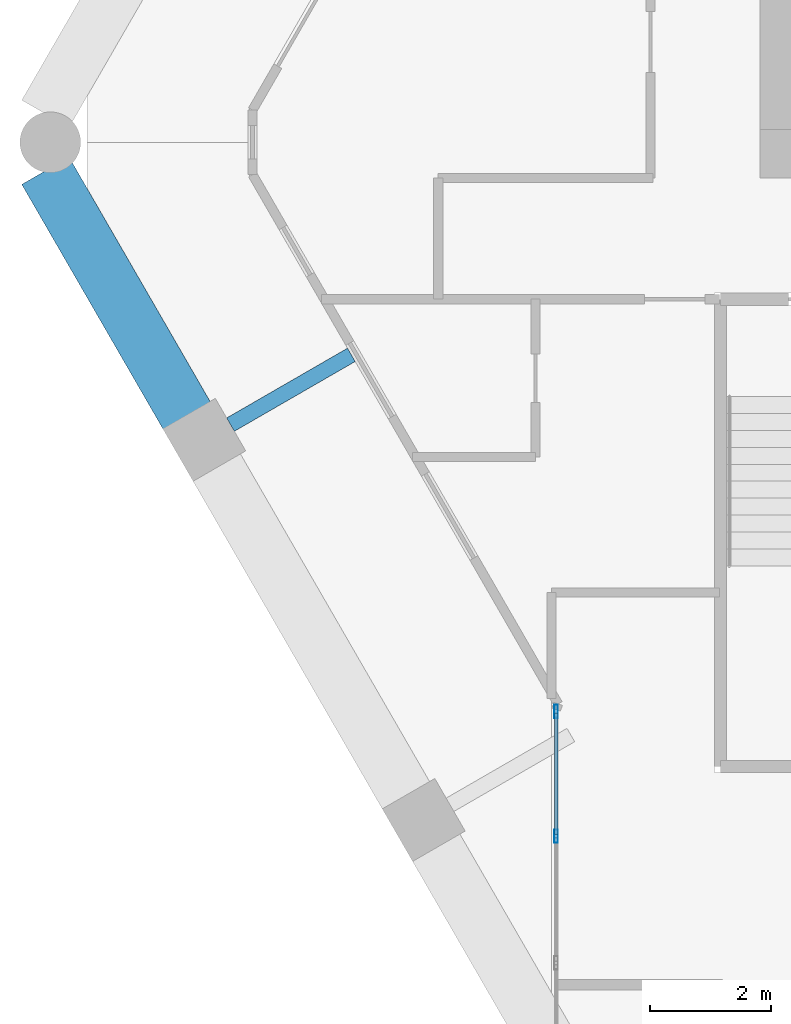
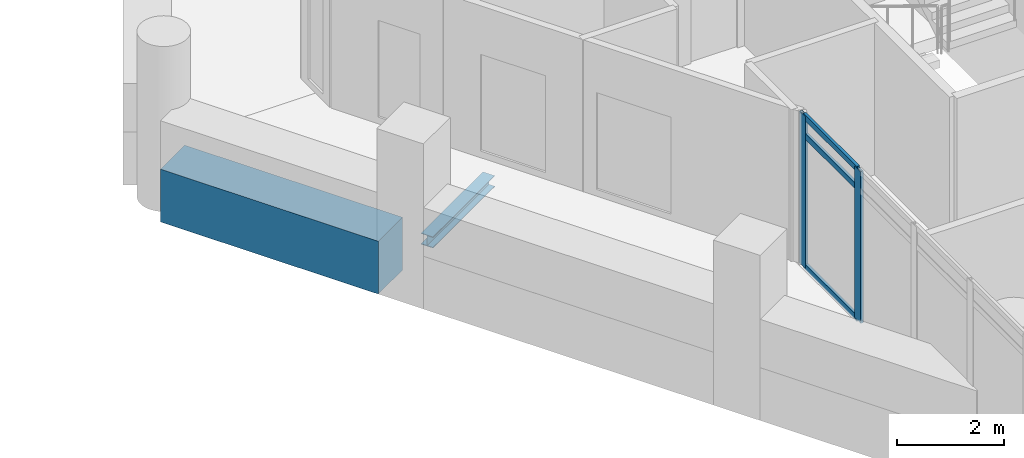
# One storey, part 9 of 29: 5 members, 2 beams, 1 element without a shape of its own.
"""IFC4 building model written with IfcOpenShell, lengths in metres."""

from ifc_helpers import new_model, si_unit, direction, frame, origin, origin_2d, place, context, subcontext, project, spatial, rectangle, hollow_rectangle, i_section, extrude, material, material_profile, profile_set, type_object, element, aggregate, save


model = new_model("IFC4")

# Units and contexts
model_context = context("Model", 3, precision=1e-05, world=origin(), true_north=direction((0.0, 1.0)))
body_context = subcontext(model_context, "Body", "Model", "MODEL_VIEW")
ifc_project = project(units=[si_unit("LENGTHUNIT", "METRE"), si_unit("AREAUNIT", "SQUARE_METRE"), si_unit("VOLUMEUNIT", "CUBIC_METRE"), si_unit("PLANEANGLEUNIT", "RADIAN"), si_unit("MASSUNIT", "GRAM", prefix="KILO")], contexts=[model_context])

# Site, building, storey
site_placement = place(None, origin())
site = spatial("IfcSite", under=ifc_project, at=site_placement, CompositionType="ELEMENT")
building_placement = place(site_placement, origin())
building = spatial("IfcBuilding", under=site, at=building_placement, Name="Ostrander Bayou Hotel Tower", CompositionType="ELEMENT")
storey_placement = place(building_placement, frame((0.0, 0.0, 202.0)))
storey = spatial("IfcBuildingStorey", under=building, at=storey_placement, Name="L50", CompositionType="ELEMENT", Elevation=202.0)

# Curtain wall, members
ifc_material_1 = material(Name="Aluminium and clear glass", Category="aluminium")
curtain_wall_type = type_object("IfcCurtainWallType", Name="CW-BAR glazed wall", PredefinedType="NOTDEFINED", material=ifc_material_1)
curtain_wall_placement = place(storey_placement, origin())
curtain_wall = element("IfcCurtainWall", 1, at=curtain_wall_placement, inside=storey, type_object=curtain_wall_type, Name="CW-BAR L50:SB4S:E", PredefinedType="NOTDEFINED")
ifc_material_2 = material(Name="Aluminium", Category="aluminium")
ifc_material_profile_1 = material_profile(ifc_material_2, hollow_rectangle(XDim=0.06005859375, YDim=0.219970703125, WallThickness=0.00390625, at=origin_2d()))
ifc_profile_set_1 = profile_set([ifc_material_profile_1], Name="Aluminium")
member_type_1 = type_object("IfcMemberType", Name="CW-BR mullion 60 x 220 mm", PredefinedType="MULLION", material=ifc_profile_set_1)
member_1_placement = place(storey_placement, frame((-11.857177734375, -10.49267578125, 0.0), z_axis=(0.0, 0.0, 1.0), x_axis=(1.0, 0.0, 0.0)))
member_1 = element("IfcMember", 2, at=member_1_placement, type_object=member_type_1, Name="CW-BAR mullion 1", PredefinedType="MULLION", context=body_context, shape_type="SweptSolid", body=[
    extrude(hollow_rectangle(XDim=0.06005859375, YDim=0.219970703125, WallThickness=0.00390625, at=origin_2d()), origin(), (0.0, 0.0, 1.0), 3.449951171875),
])
member_2_placement = place(storey_placement, frame((-11.857177734375, -12.550537109375, 0.0), z_axis=(0.0, 0.0, 1.0), x_axis=(1.0, 0.0, 0.0)))
member_2 = element("IfcMember", 3, at=member_2_placement, type_object=member_type_1, Name="CW-BAR mullion 2", PredefinedType="MULLION", context=body_context, shape_type="SweptSolid", body=[
    extrude(hollow_rectangle(XDim=0.06005859375, YDim=0.219970703125, WallThickness=0.00390625, at=origin_2d()), origin(), (0.0, 0.0, 1.0), 3.449951171875),
])
ifc_material_3 = material(Name="Aluminium", Category="aluminium")
ifc_material_profile_2 = material_profile(ifc_material_3, hollow_rectangle(XDim=0.06005859375, YDim=0.1298828125, WallThickness=0.00390625, at=origin_2d()))
ifc_profile_set_2 = profile_set([ifc_material_profile_2], Name="Aluminium")
member_type_2 = type_object("IfcMemberType", Name="CW-BR transom 60 x 130 mm", PredefinedType="USERDEFINED", material=ifc_profile_set_2)
member_3_placement = place(storey_placement, frame((-11.857177734375, -10.522705078125, 0.030029296875), z_axis=(0.0, -1.0, 0.0), x_axis=(1.0, 0.0, 0.0)))
member_3 = element("IfcMember", 4, at=member_3_placement, type_object=member_type_2, Name="CW-BAR transom 1.1", ObjectType="TRANSOM", PredefinedType="USERDEFINED", context=body_context, shape_type="SweptSolid", body=[
    extrude(hollow_rectangle(XDim=0.06005859375, YDim=0.1298828125, WallThickness=0.00390625, at=origin_2d()), origin(), (0.0, 0.0, 1.0), 1.997802734375),
])
member_4_placement = place(storey_placement, frame((-11.857177734375, -10.522705078125, 3.0), z_axis=(0.0, -1.0, 0.0), x_axis=(1.0, 0.0, 0.0)))
member_4 = element("IfcMember", 5, at=member_4_placement, type_object=member_type_2, Name="CW-BAR transom 1.2", ObjectType="TRANSOM", PredefinedType="USERDEFINED", context=body_context, shape_type="SweptSolid", body=[
    extrude(hollow_rectangle(XDim=0.06005859375, YDim=0.1298828125, WallThickness=0.00390625, at=origin_2d()), origin(), (0.0, 0.0, 1.0), 1.997802734375),
])
member_5_placement = place(storey_placement, frame((-11.857177734375, -10.522705078125, 3.419921875), z_axis=(0.0, -1.0, 0.0), x_axis=(1.0, 0.0, 0.0)))
member_5 = element("IfcMember", 6, at=member_5_placement, type_object=member_type_2, Name="CW-BAR transom 1.3", ObjectType="TRANSOM", PredefinedType="USERDEFINED", context=body_context, shape_type="SweptSolid", body=[
    extrude(hollow_rectangle(XDim=0.06005859375, YDim=0.1298828125, WallThickness=0.00390625, at=origin_2d()), origin(), (0.0, 0.0, 1.0), 1.997802734375),
])
aggregate(curtain_wall, [member_1, member_2, member_3, member_4, member_5])

# Beams
ifc_material_4 = material(Name="Steel ASTM A992", Category="steel")
ifc_material_profile_3 = material_profile(ifc_material_4, i_section(OverallWidth=0.25390625, OverallDepth=0.25341796875, WebThickness=0.008544921875, FlangeThickness=0.01416015625, at=origin_2d()))
ifc_profile_set_3 = profile_set([ifc_material_profile_3], Name="Steel ASTM A992")
beam_type_1 = type_object("IfcBeamType", Name="LB2 loggia bracket W10x49", PredefinedType="BEAM", material=ifc_profile_set_3)
beam_1_placement = place(storey_placement, frame((-17.224365234375, -5.7666015625, -0.4267578125), z_axis=(0.866053019151, 0.499952165731, 0.0), x_axis=(-0.499952165731, 0.866053019151, 0.0)))
element("IfcBeam", 7, at=beam_1_placement, inside=storey, type_object=beam_type_1, Name="LB2 L50 SW1", PredefinedType="BEAM", context=body_context, shape_type="SweptSolid", body=[
    extrude(i_section(OverallWidth=0.25390625, OverallDepth=0.25341796875, WebThickness=0.008544921875, FlangeThickness=0.01416015625, at=origin_2d()), origin(), (0.0, 0.0, 1.0), 2.300048828125),
])
ifc_material_5 = material(Name="Concrete f'c 60 MPa", Category="concrete")
ifc_material_profile_4 = material_profile(ifc_material_5, rectangle(XDim=0.89990234375, YDim=1.199951171875, at=origin_2d()))
ifc_profile_set_4 = profile_set([ifc_material_profile_4], Name="Concrete f'c 60 MPa")
beam_type_2 = type_object("IfcBeamType", Name="SP3 spandrel beam 900 x 1200 mm f'c 60 MPa", PredefinedType="SPANDREL", material=ifc_profile_set_4)
beam_2_placement = place(storey_placement, frame((-20.275146484375, -1.58251953125, -0.60009765625), z_axis=(0.500028081597, -0.86600919026, 0.0), x_axis=(0.86600919026, 0.500028081597, 0.0)))
element("IfcBeam", 8, at=beam_2_placement, inside=storey, type_object=beam_type_2, Name="SP3 L50 SW-1", PredefinedType="SPANDREL", context=body_context, shape_type="SweptSolid", body=[
    extrude(rectangle(XDim=0.89990234375, YDim=1.199951171875, at=origin_2d()), origin(), (0.0, 0.0, 1.0), 4.678955078125),
])

save(model, "model.ifc")
